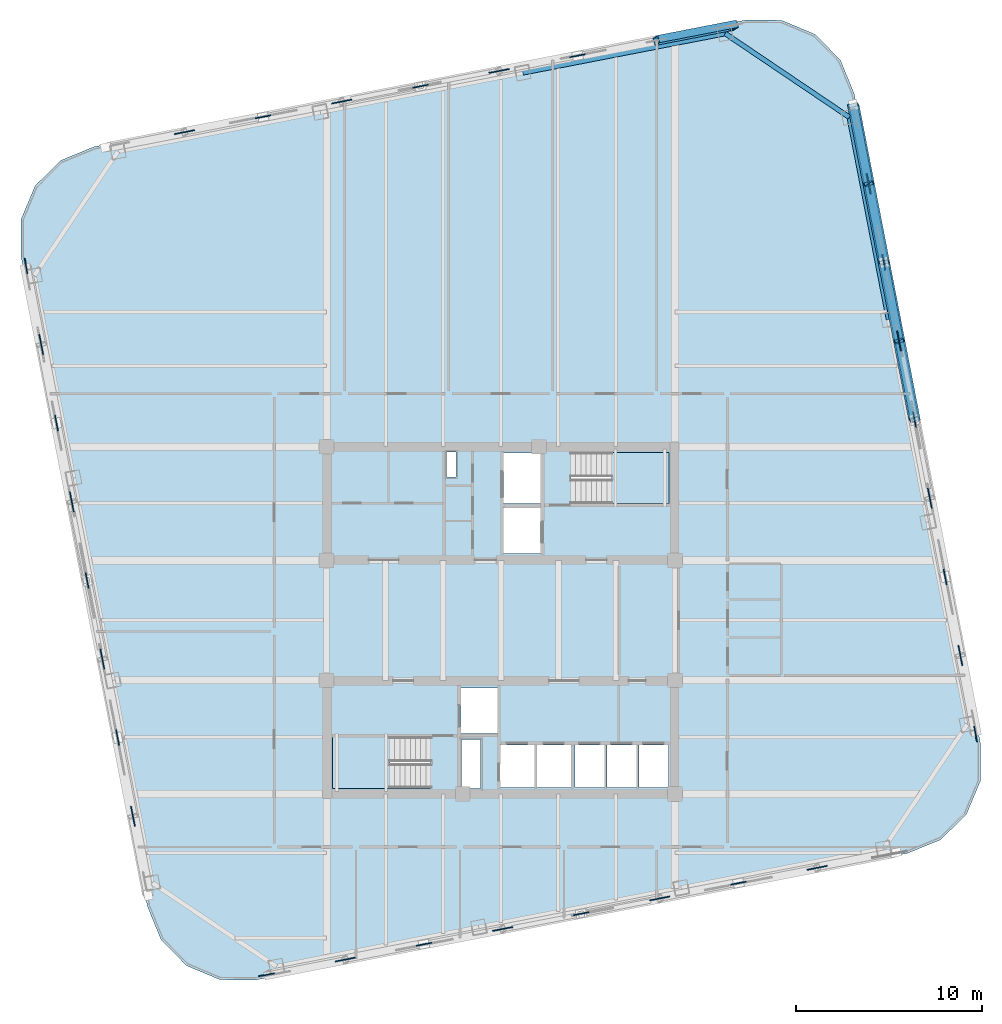
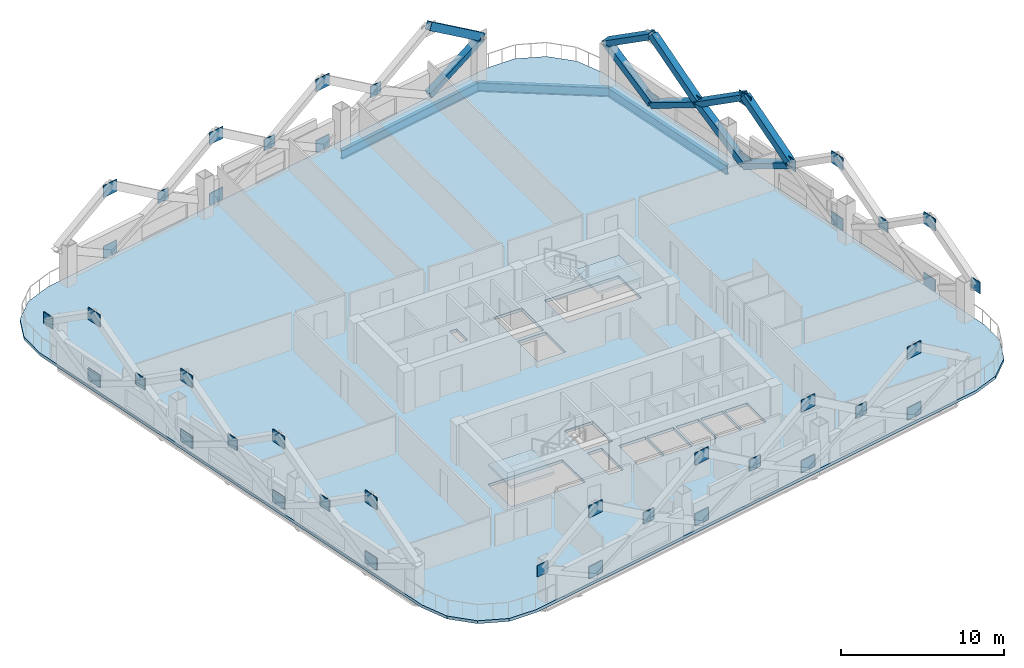
# One storey, part 3 of 10: 44 plates, 10 members, 3 beams, 3 slabs, 2 elements without a shape of their own.
"""IFC4 building model written with IfcOpenShell, lengths in metres."""

from ifc_helpers import new_model, si_unit, direction, frame, origin, origin_2d, place, context, subcontext, project, spatial, polyline, rectangle, hollow_rectangle, i_section, outline, extrude, material, layer, layer_set, material_profile, profile_set, type_object, element, aggregate, save


model = new_model("IFC4")

# Units and contexts
model_context = context("Model", 3, precision=1e-05, world=origin(), true_north=direction((0.0, 1.0)))
body_context = subcontext(model_context, "Body", "Model", "MODEL_VIEW")
ifc_project = project(units=[si_unit("LENGTHUNIT", "METRE"), si_unit("AREAUNIT", "SQUARE_METRE"), si_unit("VOLUMEUNIT", "CUBIC_METRE"), si_unit("PLANEANGLEUNIT", "RADIAN"), si_unit("MASSUNIT", "GRAM", prefix="KILO")], contexts=[model_context])

# Site, building, storey
site_placement = place(None, origin())
site = spatial("IfcSite", under=ifc_project, at=site_placement, CompositionType="ELEMENT")
building_placement = place(site_placement, origin())
building = spatial("IfcBuilding", under=site, at=building_placement, Name="Qhalaya Broadcast Tower", CompositionType="ELEMENT")
storey_placement = place(building_placement, frame((0.0, 0.0, 125.0)))
storey = spatial("IfcBuildingStorey", under=building, at=storey_placement, Name="L36", CompositionType="ELEMENT", Elevation=125.0)

# Members
ifc_material_1 = material(Name="Structural Steel ASTM A572 Grade 50", Category="steel")
ifc_material_profile_1 = material_profile(ifc_material_1, hollow_rectangle(XDim=0.419921875, YDim=0.550048828125, WallThickness=0.028076171875, at=origin_2d()), Name="BOX 420x550x28")
ifc_profile_set_1 = profile_set([ifc_material_profile_1], Name="Structural Steel ASTM A572 Grade 50")
member_type = type_object("IfcMemberType", Name="Exoskeleton Diamond Diagonal Mid-Low EX2", PredefinedType="BRACE", material=ifc_profile_set_1)
for number, where, z_axis, x_axis, name in (
    (1, (21.4501953125, 15.642578125, 0.360107421875), (0.167906178469, -0.863638454011, 0.475327398733), (-0.276348676601, 0.421603745685, 0.863644423687), "B3 Exoskeleton Diamond Brace E3-D1"),
    (2, (21.4501953125, 15.642578125, 0.360107421875), (-0.167850552493, 0.86365833241, 0.475310926539), (0.276317607547, -0.421606214628, 0.863653159287), "B3 Exoskeleton Diamond Brace E3-D2"),
):
    element("IfcMember", number, at=place(storey_placement, frame(where, z_axis=z_axis, x_axis=x_axis)), inside=storey, type_object=member_type, Name=name, PredefinedType="BRACE", context=body_context, shape_type="SweptSolid", body=[
        extrude(hollow_rectangle(XDim=0.419921875, YDim=0.550048828125, WallThickness=0.028076171875, at=origin_2d()), origin(), (0.0, 0.0, 1.0), 4.901611328125),
    ])
for number, where, z_axis, x_axis, name in (
    (3, (22.273193359375, 11.409423828125, 2.68994140625), (-0.159893335716, 0.822423775729, 0.545942537553), (0.289577544331, -0.489647453062, 0.822429460519), "B3 Exoskeleton Diamond Brace E3-D3"),
    (4, (20.62744140625, 19.8759765625, 2.68994140625), (0.159840880392, -0.822445360829, 0.545925380804), (-0.289541830698, 0.489650140275, 0.822440434563), "B3 Exoskeleton Diamond Brace E3-D4"),
):
    element("IfcMember", number, at=place(storey_placement, frame(where, z_axis=z_axis, x_axis=x_axis)), inside=storey, type_object=member_type, Name=name, PredefinedType="BRACE", context=body_context, shape_type="SweptSolid", body=[
        extrude(hollow_rectangle(XDim=0.419921875, YDim=0.550048828125, WallThickness=0.028076171875, at=origin_2d()), origin(), (0.0, 0.0, 1.0), 5.147216796875),
    ])
member_1_placement = place(storey_placement, frame((19.804443359375, 24.109375, 0.360107421875), z_axis=(0.16789895591, -0.863651111089, 0.475306952314), x_axis=(-0.276340291523, 0.421587029347, 0.863655266856)))
element("IfcMember", 5, at=member_1_placement, inside=storey, type_object=member_type, Name="B3 Exoskeleton Diamond Brace E4-D1", PredefinedType="BRACE", context=body_context, shape_type="SweptSolid", body=[
    extrude(hollow_rectangle(XDim=0.419921875, YDim=0.550048828125, WallThickness=0.028076171875, at=origin_2d()), origin(), (0.0, 0.0, 1.0), 4.90185546875),
])
member_2_placement = place(storey_placement, frame((19.804443359375, 24.109375, 0.360107421875), z_axis=(-0.16785777309, 0.863645675846, 0.47533137347), x_axis=(0.276325990581, -0.421622932738, 0.86364231573)))
element("IfcMember", 6, at=member_2_placement, inside=storey, type_object=member_type, Name="B3 Exoskeleton Diamond Brace E4-D2", PredefinedType="BRACE", context=body_context, shape_type="SweptSolid", body=[
    extrude(hollow_rectangle(XDim=0.419921875, YDim=0.550048828125, WallThickness=0.028076171875, at=origin_2d()), origin(), (0.0, 0.0, 1.0), 4.901611328125),
])
member_3_placement = place(storey_placement, frame((20.62744140625, 19.8759765625, 2.68994140625), z_axis=(-0.159887098587, 0.822439124739, 0.545921241393), x_axis=(0.289568264946, -0.489630060841, 0.822443082199)))
element("IfcMember", 7, at=member_3_placement, inside=storey, type_object=member_type, Name="B3 Exoskeleton Diamond Brace E4-D3", PredefinedType="BRACE", context=body_context, shape_type="SweptSolid", body=[
    extrude(hollow_rectangle(XDim=0.419921875, YDim=0.550048828125, WallThickness=0.028076171875, at=origin_2d()), origin(), (0.0, 0.0, 1.0), 5.1474609375),
])
member_4_placement = place(storey_placement, frame((18.981689453125, 28.342529296875, 2.68994140625), z_axis=(0.159847115813, -0.822430012189, 0.545946677449), x_axis=(-0.289551107794, 0.489667534331, 0.822426812426)))
element("IfcMember", 8, at=member_4_placement, inside=storey, type_object=member_type, Name="B3 Exoskeleton Diamond Brace E4-D4", PredefinedType="BRACE", context=body_context, shape_type="SweptSolid", body=[
    extrude(hollow_rectangle(XDim=0.419921875, YDim=0.550048828125, WallThickness=0.028076171875, at=origin_2d()), origin(), (0.0, 0.0, 1.0), 5.147216796875),
])
member_5_placement = place(storey_placement, frame((8.370361328125, 31.82177734375, 0.360107421875), z_axis=(0.863645675846, 0.16785777309, 0.47533137347), x_axis=(-0.276315488493, 0.946291559163, 0.167875060316)))
element("IfcMember", 9, at=member_5_placement, inside=storey, type_object=member_type, Name="B3 Exoskeleton Diamond Brace N1-D1", PredefinedType="BRACE", context=body_context, shape_type="SweptSolid", body=[
    extrude(hollow_rectangle(XDim=0.419921875, YDim=0.550048828125, WallThickness=0.028076171875, at=origin_2d()), origin(), (0.0, 0.0, 1.0), 4.901611328125),
])
member_6_placement = place(storey_placement, frame((12.603515625, 32.64453125, 2.68994140625), z_axis=(-0.822430012189, -0.159847115813, 0.545946677449), x_axis=(0.289542019185, -0.943720856791, 0.159863578043)))
element("IfcMember", 10, at=member_6_placement, inside=storey, type_object=member_type, Name="B3 Exoskeleton Diamond Brace N1-D3", PredefinedType="BRACE", context=body_context, shape_type="SweptSolid", body=[
    extrude(hollow_rectangle(XDim=0.419921875, YDim=0.550048828125, WallThickness=0.028076171875, at=origin_2d()), origin(), (0.0, 0.0, 1.0), 5.147216796875),
])

# Beams
ifc_material_2 = material(Name="Structural Steel ASTM A992 Grade 50", Category="steel")
ifc_material_profile_2 = material_profile(ifc_material_2, i_section(OverallWidth=0.25390625, OverallDepth=0.68310546875, WebThickness=0.012451171875, FlangeThickness=0.01904296875, at=origin_2d()), Name="W27X94")
ifc_profile_set_2 = profile_set([ifc_material_profile_2], Name="Structural Steel ASTM A992 Grade 50")
beam_type = type_object("IfcBeamType", Name="Perimeter Ring Spandrel Beam SP1", PredefinedType="SPANDREL", material=ifc_profile_set_2)
beam_1_placement = place(storey_placement, frame((20.88037109375, 16.79248046875, -0.5615234375), z_axis=(-0.190800781233, 0.98162878008, 0.0), x_axis=(-0.98162878008, -0.190800781233, 0.0)))
element("IfcBeam", 11, at=beam_1_placement, inside=storey, type_object=beam_type, Name="L36 SP1 L36-SPR-07", PredefinedType="SPANDREL", context=body_context, shape_type="SweptSolid", body=[
    extrude(i_section(OverallWidth=0.25390625, OverallDepth=0.68310546875, WebThickness=0.012451171875, FlangeThickness=0.01904296875, at=origin_2d()), origin(), (0.0, 0.0, 1.0), 11.10009765625),
])
beam_2_placement = place(storey_placement, frame((18.762451171875, 27.688720703125, -0.5615234375), z_axis=(-0.829042088473, 0.559186208288, 0.0), x_axis=(-0.559186208288, -0.829042088473, 0.0)))
element("IfcBeam", 12, at=beam_2_placement, inside=storey, type_object=beam_type, Name="L36 SP1 L36-SPR-08", PredefinedType="SPANDREL", context=body_context, shape_type="SweptSolid", body=[
    extrude(i_section(OverallWidth=0.25390625, OverallDepth=0.68310546875, WebThickness=0.012451171875, FlangeThickness=0.01904296875, at=origin_2d()), origin(), (0.0, 0.0, 1.0), 8.06103515625),
])
beam_3_placement = place(storey_placement, frame((12.07958984375, 32.1962890625, -0.5615234375), z_axis=(-0.98162878008, -0.190800781233, 0.0), x_axis=(0.190800781233, -0.98162878008, 0.0)))
element("IfcBeam", 13, at=beam_3_placement, inside=storey, type_object=beam_type, Name="L36 SP1 L36-SPR-09", PredefinedType="SPANDREL", context=body_context, shape_type="SweptSolid", body=[
    extrude(i_section(OverallWidth=0.25390625, OverallDepth=0.68310546875, WebThickness=0.012451171875, FlangeThickness=0.01904296875, at=origin_2d()), origin(), (0.0, 0.0, 1.0), 11.10009765625),
])

# Plates
ifc_layer_1 = layer(ifc_material_1, 0.054931640625, Name="Structural Steel ASTM A572 Grade 50")
ifc_layer_set_1 = layer_set([ifc_layer_1], Name="Structural Steel ASTM A572 Grade 50")
plate_type = type_object("IfcPlateType", Name="Exoskeleton Diamond Node Gusset Plate NP-01", PredefinedType="USERDEFINED", material=ifc_layer_set_1)
for number, where, z_axis, x_axis, name in (
    (14, (-8.370361328125, -17.66162109375, 0.2099609375), (0.0, 0.0, 1.0), (0.981627183448, 0.190808995377, 0.0), "Exoskeleton Diamond Node B3-S1-BOT"),
    (15, (-8.370361328125, -17.66162109375, 4.75), (0.0, 0.0, 1.0), (0.981627183448, 0.190808995377, 0.0), "Exoskeleton Diamond Node B3-S1-TOP"),
):
    element("IfcPlate", number, at=place(storey_placement, frame(where, z_axis=z_axis, x_axis=x_axis)), inside=storey, type_object=plate_type, Name=name, ObjectType="GUSSET_PLATE", PredefinedType="USERDEFINED", context=body_context, shape_type="SweptSolid", body=[
        extrude(rectangle(XDim=1.10009765625, YDim=0.054931640625, at=origin_2d()), origin(), (0.0, 0.0, 1.0), 0.89990234375),
    ])
plate_1_placement = place(storey_placement, frame((-12.603515625, -18.484619140625, 2.264892578125), z_axis=(0.0, 0.0, 1.0), x_axis=(0.981627183448, 0.190808995377, 0.0)))
element("IfcPlate", 16, at=plate_1_placement, inside=storey, type_object=plate_type, Name="Exoskeleton Diamond Node B3-S1-MDL", ObjectType="GUSSET_PLATE", PredefinedType="USERDEFINED", context=body_context, shape_type="SweptSolid", body=[
    extrude(rectangle(XDim=0.85009765625, YDim=0.054931640625, at=origin_2d()), origin(), (0.0, 0.0, 1.0), 0.85009765625),
])
for number, where, z_axis, x_axis, name in (
    (17, (0.09619140625, -16.01611328125, 0.2099609375), (0.0, 0.0, 1.0), (0.981627183448, 0.190808995377, 0.0), "Exoskeleton Diamond Node B3-S2-BOT"),
    (18, (0.09619140625, -16.01611328125, 4.75), (0.0, 0.0, 1.0), (0.981627183448, 0.190808995377, 0.0), "Exoskeleton Diamond Node B3-S2-TOP"),
):
    element("IfcPlate", number, at=place(storey_placement, frame(where, z_axis=z_axis, x_axis=x_axis)), inside=storey, type_object=plate_type, Name=name, ObjectType="GUSSET_PLATE", PredefinedType="USERDEFINED", context=body_context, shape_type="SweptSolid", body=[
        extrude(rectangle(XDim=1.10009765625, YDim=0.054931640625, at=origin_2d()), origin(), (0.0, 0.0, 1.0), 0.89990234375),
    ])
plate_2_placement = place(storey_placement, frame((-4.13720703125, -16.8388671875, 2.264892578125), z_axis=(0.0, 0.0, 1.0), x_axis=(0.981627183448, 0.190808995377, 0.0)))
element("IfcPlate", 19, at=plate_2_placement, inside=storey, type_object=plate_type, Name="Exoskeleton Diamond Node B3-S2-MDL", ObjectType="GUSSET_PLATE", PredefinedType="USERDEFINED", context=body_context, shape_type="SweptSolid", body=[
    extrude(rectangle(XDim=0.85009765625, YDim=0.054931640625, at=origin_2d()), origin(), (0.0, 0.0, 1.0), 0.85009765625),
])
for number, where, z_axis, x_axis, name in (
    (20, (8.562744140625, -14.370361328125, 0.2099609375), (0.0, 0.0, 1.0), (0.981627183448, 0.190808995377, 0.0), "Exoskeleton Diamond Node B3-S3-BOT"),
    (21, (8.562744140625, -14.370361328125, 4.75), (0.0, 0.0, 1.0), (0.981627183448, 0.190808995377, 0.0), "Exoskeleton Diamond Node B3-S3-TOP"),
):
    element("IfcPlate", number, at=place(storey_placement, frame(where, z_axis=z_axis, x_axis=x_axis)), inside=storey, type_object=plate_type, Name=name, ObjectType="GUSSET_PLATE", PredefinedType="USERDEFINED", context=body_context, shape_type="SweptSolid", body=[
        extrude(rectangle(XDim=1.10009765625, YDim=0.054931640625, at=origin_2d()), origin(), (0.0, 0.0, 1.0), 0.89990234375),
    ])
plate_3_placement = place(storey_placement, frame((4.32958984375, -15.193115234375, 2.264892578125), z_axis=(0.0, 0.0, 1.0), x_axis=(0.981627183448, 0.190808995377, 0.0)))
element("IfcPlate", 22, at=plate_3_placement, inside=storey, type_object=plate_type, Name="Exoskeleton Diamond Node B3-S3-MDL", ObjectType="GUSSET_PLATE", PredefinedType="USERDEFINED", context=body_context, shape_type="SweptSolid", body=[
    extrude(rectangle(XDim=0.85009765625, YDim=0.054931640625, at=origin_2d()), origin(), (0.0, 0.0, 1.0), 0.85009765625),
])
for number, where, z_axis, x_axis, name in (
    (23, (17.029296875, -12.724609375, 0.2099609375), (0.0, 0.0, 1.0), (0.981627183448, 0.190808995377, 0.0), "Exoskeleton Diamond Node B3-S4-BOT"),
    (24, (17.029296875, -12.724609375, 4.75), (0.0, 0.0, 1.0), (0.981627183448, 0.190808995377, 0.0), "Exoskeleton Diamond Node B3-S4-TOP"),
):
    element("IfcPlate", number, at=place(storey_placement, frame(where, z_axis=z_axis, x_axis=x_axis)), inside=storey, type_object=plate_type, Name=name, ObjectType="GUSSET_PLATE", PredefinedType="USERDEFINED", context=body_context, shape_type="SweptSolid", body=[
        extrude(rectangle(XDim=1.10009765625, YDim=0.054931640625, at=origin_2d()), origin(), (0.0, 0.0, 1.0), 0.89990234375),
    ])
plate_4_placement = place(storey_placement, frame((12.7958984375, -13.54736328125, 2.264892578125), z_axis=(0.0, 0.0, 1.0), x_axis=(0.981627183448, 0.190808995377, 0.0)))
element("IfcPlate", 25, at=plate_4_placement, inside=storey, type_object=plate_type, Name="Exoskeleton Diamond Node B3-S4-MDL", ObjectType="GUSSET_PLATE", PredefinedType="USERDEFINED", context=body_context, shape_type="SweptSolid", body=[
    extrude(rectangle(XDim=0.85009765625, YDim=0.054931640625, at=origin_2d()), origin(), (0.0, 0.0, 1.0), 0.85009765625),
])
for number, where, z_axis, x_axis, name in (
    (26, (24.74169921875, -1.290283203125, 0.2099609375), (0.0, 0.0, 1.0), (-0.190808995377, 0.981627183448, 0.0), "Exoskeleton Diamond Node B3-E1-BOT"),
    (27, (24.74169921875, -1.290283203125, 4.75), (0.0, 0.0, 1.0), (-0.190808995377, 0.981627183448, 0.0), "Exoskeleton Diamond Node B3-E1-TOP"),
):
    element("IfcPlate", number, at=place(storey_placement, frame(where, z_axis=z_axis, x_axis=x_axis)), inside=storey, type_object=plate_type, Name=name, ObjectType="GUSSET_PLATE", PredefinedType="USERDEFINED", context=body_context, shape_type="SweptSolid", body=[
        extrude(rectangle(XDim=1.10009765625, YDim=0.054931640625, at=origin_2d()), origin(), (0.0, 0.0, 1.0), 0.89990234375),
    ])
plate_5_placement = place(storey_placement, frame((25.564697265625, -5.523681640625, 2.264892578125), z_axis=(0.0, 0.0, 1.0), x_axis=(-0.190808995377, 0.981627183448, 0.0)))
element("IfcPlate", 28, at=plate_5_placement, inside=storey, type_object=plate_type, Name="Exoskeleton Diamond Node B3-E1-MDL", ObjectType="GUSSET_PLATE", PredefinedType="USERDEFINED", context=body_context, shape_type="SweptSolid", body=[
    extrude(rectangle(XDim=0.85009765625, YDim=0.054931640625, at=origin_2d()), origin(), (0.0, 0.0, 1.0), 0.85009765625),
])
for number, where, z_axis, x_axis, name in (
    (29, (23.095947265625, 7.17626953125, 0.2099609375), (0.0, 0.0, 1.0), (-0.190808995377, 0.981627183448, 0.0), "Exoskeleton Diamond Node B3-E2-BOT"),
    (30, (23.095947265625, 7.17626953125, 4.75), (0.0, 0.0, 1.0), (-0.190808995377, 0.981627183448, 0.0), "Exoskeleton Diamond Node B3-E2-TOP"),
):
    element("IfcPlate", number, at=place(storey_placement, frame(where, z_axis=z_axis, x_axis=x_axis)), inside=storey, type_object=plate_type, Name=name, ObjectType="GUSSET_PLATE", PredefinedType="USERDEFINED", context=body_context, shape_type="SweptSolid", body=[
        extrude(rectangle(XDim=1.10009765625, YDim=0.054931640625, at=origin_2d()), origin(), (0.0, 0.0, 1.0), 0.89990234375),
    ])
plate_6_placement = place(storey_placement, frame((23.918701171875, 2.94287109375, 2.264892578125), z_axis=(0.0, 0.0, 1.0), x_axis=(-0.190808995377, 0.981627183448, 0.0)))
element("IfcPlate", 31, at=plate_6_placement, inside=storey, type_object=plate_type, Name="Exoskeleton Diamond Node B3-E2-MDL", ObjectType="GUSSET_PLATE", PredefinedType="USERDEFINED", context=body_context, shape_type="SweptSolid", body=[
    extrude(rectangle(XDim=0.85009765625, YDim=0.054931640625, at=origin_2d()), origin(), (0.0, 0.0, 1.0), 0.85009765625),
])
for number, where, z_axis, x_axis, name in (
    (32, (21.4501953125, 15.642578125, 0.2099609375), (0.0, 0.0, 1.0), (-0.190808995377, 0.981627183448, 0.0), "Exoskeleton Diamond Node B3-E3-BOT"),
    (33, (21.4501953125, 15.642578125, 4.75), (0.0, 0.0, 1.0), (-0.190808995377, 0.981627183448, 0.0), "Exoskeleton Diamond Node B3-E3-TOP"),
):
    element("IfcPlate", number, at=place(storey_placement, frame(where, z_axis=z_axis, x_axis=x_axis)), inside=storey, type_object=plate_type, Name=name, ObjectType="GUSSET_PLATE", PredefinedType="USERDEFINED", context=body_context, shape_type="SweptSolid", body=[
        extrude(rectangle(XDim=1.10009765625, YDim=0.054931640625, at=origin_2d()), origin(), (0.0, 0.0, 1.0), 0.89990234375),
    ])
plate_7_placement = place(storey_placement, frame((22.273193359375, 11.409423828125, 2.264892578125), z_axis=(0.0, 0.0, 1.0), x_axis=(-0.190808995377, 0.981627183448, 0.0)))
element("IfcPlate", 34, at=plate_7_placement, inside=storey, type_object=plate_type, Name="Exoskeleton Diamond Node B3-E3-MDL", ObjectType="GUSSET_PLATE", PredefinedType="USERDEFINED", context=body_context, shape_type="SweptSolid", body=[
    extrude(rectangle(XDim=0.85009765625, YDim=0.054931640625, at=origin_2d()), origin(), (0.0, 0.0, 1.0), 0.85009765625),
])
plate_8_placement = place(storey_placement, frame((19.804443359375, 24.109375, 0.2099609375), z_axis=(0.0, 0.0, 1.0), x_axis=(-0.190808995377, 0.981627183448, 0.0)))
element("IfcPlate", 35, at=plate_8_placement, inside=storey, type_object=plate_type, Name="Exoskeleton Diamond Node B3-E4-BOT", ObjectType="GUSSET_PLATE", PredefinedType="USERDEFINED", context=body_context, shape_type="SweptSolid", body=[
    extrude(rectangle(XDim=1.10009765625, YDim=0.054931640625, at=origin_2d()), origin(), (0.0, 0.0, 1.0), 0.89990234375),
])
plate_9_placement = place(storey_placement, frame((20.62744140625, 19.8759765625, 2.264892578125), z_axis=(0.0, 0.0, 1.0), x_axis=(-0.190808995377, 0.981627183448, 0.0)))
element("IfcPlate", 36, at=plate_9_placement, inside=storey, type_object=plate_type, Name="Exoskeleton Diamond Node B3-E4-MDL", ObjectType="GUSSET_PLATE", PredefinedType="USERDEFINED", context=body_context, shape_type="SweptSolid", body=[
    extrude(rectangle(XDim=0.85009765625, YDim=0.054931640625, at=origin_2d()), origin(), (0.0, 0.0, 1.0), 0.85009765625),
])
for number, where, z_axis, x_axis, name in (
    (37, (-0.09619140625, 30.176025390625, 0.2099609375), (0.0, 0.0, 1.0), (0.981627183448, 0.190808995377, 0.0), "Exoskeleton Diamond Node B3-N2-BOT"),
    (38, (-0.09619140625, 30.176025390625, 4.75), (0.0, 0.0, 1.0), (0.981627183448, 0.190808995377, 0.0), "Exoskeleton Diamond Node B3-N2-TOP"),
):
    element("IfcPlate", number, at=place(storey_placement, frame(where, z_axis=z_axis, x_axis=x_axis)), inside=storey, type_object=plate_type, Name=name, ObjectType="GUSSET_PLATE", PredefinedType="USERDEFINED", context=body_context, shape_type="SweptSolid", body=[
        extrude(rectangle(XDim=1.10009765625, YDim=0.054931640625, at=origin_2d()), origin(), (0.0, 0.0, 1.0), 0.89990234375),
    ])
plate_10_placement = place(storey_placement, frame((4.13720703125, 30.998779296875, 2.264892578125), z_axis=(0.0, 0.0, 1.0), x_axis=(0.981627183448, 0.190808995377, 0.0)))
element("IfcPlate", 39, at=plate_10_placement, inside=storey, type_object=plate_type, Name="Exoskeleton Diamond Node B3-N2-MDL", ObjectType="GUSSET_PLATE", PredefinedType="USERDEFINED", context=body_context, shape_type="SweptSolid", body=[
    extrude(rectangle(XDim=0.85009765625, YDim=0.054931640625, at=origin_2d()), origin(), (0.0, 0.0, 1.0), 0.85009765625),
])
for number, where, z_axis, x_axis, name in (
    (40, (-8.562744140625, 28.5302734375, 0.2099609375), (0.0, 0.0, 1.0), (0.981627183448, 0.190808995377, 0.0), "Exoskeleton Diamond Node B3-N3-BOT"),
    (41, (-8.562744140625, 28.5302734375, 4.75), (0.0, 0.0, 1.0), (0.981627183448, 0.190808995377, 0.0), "Exoskeleton Diamond Node B3-N3-TOP"),
):
    element("IfcPlate", number, at=place(storey_placement, frame(where, z_axis=z_axis, x_axis=x_axis)), inside=storey, type_object=plate_type, Name=name, ObjectType="GUSSET_PLATE", PredefinedType="USERDEFINED", context=body_context, shape_type="SweptSolid", body=[
        extrude(rectangle(XDim=1.10009765625, YDim=0.054931640625, at=origin_2d()), origin(), (0.0, 0.0, 1.0), 0.89990234375),
    ])
plate_11_placement = place(storey_placement, frame((-4.32958984375, 29.35302734375, 2.264892578125), z_axis=(0.0, 0.0, 1.0), x_axis=(0.981627183448, 0.190808995377, 0.0)))
element("IfcPlate", 42, at=plate_11_placement, inside=storey, type_object=plate_type, Name="Exoskeleton Diamond Node B3-N3-MDL", ObjectType="GUSSET_PLATE", PredefinedType="USERDEFINED", context=body_context, shape_type="SweptSolid", body=[
    extrude(rectangle(XDim=0.85009765625, YDim=0.054931640625, at=origin_2d()), origin(), (0.0, 0.0, 1.0), 0.85009765625),
])
for number, where, z_axis, x_axis, name in (
    (43, (-17.029296875, 26.884521484375, 0.2099609375), (0.0, 0.0, 1.0), (0.981627183448, 0.190808995377, 0.0), "Exoskeleton Diamond Node B3-N4-BOT"),
    (44, (-17.029296875, 26.884521484375, 4.75), (0.0, 0.0, 1.0), (0.981627183448, 0.190808995377, 0.0), "Exoskeleton Diamond Node B3-N4-TOP"),
):
    element("IfcPlate", number, at=place(storey_placement, frame(where, z_axis=z_axis, x_axis=x_axis)), inside=storey, type_object=plate_type, Name=name, ObjectType="GUSSET_PLATE", PredefinedType="USERDEFINED", context=body_context, shape_type="SweptSolid", body=[
        extrude(rectangle(XDim=1.10009765625, YDim=0.054931640625, at=origin_2d()), origin(), (0.0, 0.0, 1.0), 0.89990234375),
    ])
plate_12_placement = place(storey_placement, frame((-12.7958984375, 27.70751953125, 2.264892578125), z_axis=(0.0, 0.0, 1.0), x_axis=(0.981627183448, 0.190808995377, 0.0)))
element("IfcPlate", 45, at=plate_12_placement, inside=storey, type_object=plate_type, Name="Exoskeleton Diamond Node B3-N4-MDL", ObjectType="GUSSET_PLATE", PredefinedType="USERDEFINED", context=body_context, shape_type="SweptSolid", body=[
    extrude(rectangle(XDim=0.85009765625, YDim=0.054931640625, at=origin_2d()), origin(), (0.0, 0.0, 1.0), 0.85009765625),
])
for number, where, z_axis, x_axis, name in (
    (46, (-24.74169921875, 15.4501953125, 0.2099609375), (0.0, 0.0, 1.0), (-0.190808995377, 0.981627183448, 0.0), "Exoskeleton Diamond Node B3-W1-BOT"),
    (47, (-24.74169921875, 15.4501953125, 4.75), (0.0, 0.0, 1.0), (-0.190808995377, 0.981627183448, 0.0), "Exoskeleton Diamond Node B3-W1-TOP"),
):
    element("IfcPlate", number, at=place(storey_placement, frame(where, z_axis=z_axis, x_axis=x_axis)), inside=storey, type_object=plate_type, Name=name, ObjectType="GUSSET_PLATE", PredefinedType="USERDEFINED", context=body_context, shape_type="SweptSolid", body=[
        extrude(rectangle(XDim=1.10009765625, YDim=0.054931640625, at=origin_2d()), origin(), (0.0, 0.0, 1.0), 0.89990234375),
    ])
plate_13_placement = place(storey_placement, frame((-25.564697265625, 19.68359375, 2.264892578125), z_axis=(0.0, 0.0, 1.0), x_axis=(-0.190808995377, 0.981627183448, 0.0)))
element("IfcPlate", 48, at=plate_13_placement, inside=storey, type_object=plate_type, Name="Exoskeleton Diamond Node B3-W1-MDL", ObjectType="GUSSET_PLATE", PredefinedType="USERDEFINED", context=body_context, shape_type="SweptSolid", body=[
    extrude(rectangle(XDim=0.85009765625, YDim=0.054931640625, at=origin_2d()), origin(), (0.0, 0.0, 1.0), 0.85009765625),
])
for number, where, z_axis, x_axis, name in (
    (49, (-23.095947265625, 6.98388671875, 0.2099609375), (0.0, 0.0, 1.0), (-0.190808995377, 0.981627183448, 0.0), "Exoskeleton Diamond Node B3-W2-BOT"),
    (50, (-23.095947265625, 6.98388671875, 4.75), (0.0, 0.0, 1.0), (-0.190808995377, 0.981627183448, 0.0), "Exoskeleton Diamond Node B3-W2-TOP"),
):
    element("IfcPlate", number, at=place(storey_placement, frame(where, z_axis=z_axis, x_axis=x_axis)), inside=storey, type_object=plate_type, Name=name, ObjectType="GUSSET_PLATE", PredefinedType="USERDEFINED", context=body_context, shape_type="SweptSolid", body=[
        extrude(rectangle(XDim=1.10009765625, YDim=0.054931640625, at=origin_2d()), origin(), (0.0, 0.0, 1.0), 0.89990234375),
    ])
plate_14_placement = place(storey_placement, frame((-23.918701171875, 11.217041015625, 2.264892578125), z_axis=(0.0, 0.0, 1.0), x_axis=(-0.190808995377, 0.981627183448, 0.0)))
element("IfcPlate", 51, at=plate_14_placement, inside=storey, type_object=plate_type, Name="Exoskeleton Diamond Node B3-W2-MDL", ObjectType="GUSSET_PLATE", PredefinedType="USERDEFINED", context=body_context, shape_type="SweptSolid", body=[
    extrude(rectangle(XDim=0.85009765625, YDim=0.054931640625, at=origin_2d()), origin(), (0.0, 0.0, 1.0), 0.85009765625),
])
for number, where, z_axis, x_axis, name in (
    (52, (-21.4501953125, -1.482666015625, 0.2099609375), (0.0, 0.0, 1.0), (-0.190808995377, 0.981627183448, 0.0), "Exoskeleton Diamond Node B3-W3-BOT"),
    (53, (-21.4501953125, -1.482666015625, 4.75), (0.0, 0.0, 1.0), (-0.190808995377, 0.981627183448, 0.0), "Exoskeleton Diamond Node B3-W3-TOP"),
):
    element("IfcPlate", number, at=place(storey_placement, frame(where, z_axis=z_axis, x_axis=x_axis)), inside=storey, type_object=plate_type, Name=name, ObjectType="GUSSET_PLATE", PredefinedType="USERDEFINED", context=body_context, shape_type="SweptSolid", body=[
        extrude(rectangle(XDim=1.10009765625, YDim=0.054931640625, at=origin_2d()), origin(), (0.0, 0.0, 1.0), 0.89990234375),
    ])
plate_15_placement = place(storey_placement, frame((-22.273193359375, 2.75048828125, 2.264892578125), z_axis=(0.0, 0.0, 1.0), x_axis=(-0.190808995377, 0.981627183448, 0.0)))
element("IfcPlate", 54, at=plate_15_placement, inside=storey, type_object=plate_type, Name="Exoskeleton Diamond Node B3-W3-MDL", ObjectType="GUSSET_PLATE", PredefinedType="USERDEFINED", context=body_context, shape_type="SweptSolid", body=[
    extrude(rectangle(XDim=0.85009765625, YDim=0.054931640625, at=origin_2d()), origin(), (0.0, 0.0, 1.0), 0.85009765625),
])
for number, where, z_axis, x_axis, name in (
    (55, (-19.804443359375, -9.94921875, 0.2099609375), (0.0, 0.0, 1.0), (-0.190808995377, 0.981627183448, 0.0), "Exoskeleton Diamond Node B3-W4-BOT"),
    (56, (-19.804443359375, -9.94921875, 4.75), (0.0, 0.0, 1.0), (-0.190808995377, 0.981627183448, 0.0), "Exoskeleton Diamond Node B3-W4-TOP"),
):
    element("IfcPlate", number, at=place(storey_placement, frame(where, z_axis=z_axis, x_axis=x_axis)), inside=storey, type_object=plate_type, Name=name, ObjectType="GUSSET_PLATE", PredefinedType="USERDEFINED", context=body_context, shape_type="SweptSolid", body=[
        extrude(rectangle(XDim=1.10009765625, YDim=0.054931640625, at=origin_2d()), origin(), (0.0, 0.0, 1.0), 0.89990234375),
    ])
plate_16_placement = place(storey_placement, frame((-20.62744140625, -5.716064453125, 2.264892578125), z_axis=(0.0, 0.0, 1.0), x_axis=(-0.190808995377, 0.981627183448, 0.0)))
element("IfcPlate", 57, at=plate_16_placement, inside=storey, type_object=plate_type, Name="Exoskeleton Diamond Node B3-W4-MDL", ObjectType="GUSSET_PLATE", PredefinedType="USERDEFINED", context=body_context, shape_type="SweptSolid", body=[
    extrude(rectangle(XDim=0.85009765625, YDim=0.054931640625, at=origin_2d()), origin(), (0.0, 0.0, 1.0), 0.85009765625),
])

# Stair, slab
ifc_material_3 = material(Name="Concrete C40/50", Category="concrete")
stair_type = type_object("IfcStairType", Name="Protected Dogleg Core Stair 3150", PredefinedType="TWO_STRAIGHT_RUN_STAIR", material=ifc_material_3)
stair_1_placement = place(storey_placement, origin())
stair_1 = element("IfcStair", 58, at=stair_1_placement, inside=storey, type_object=stair_type, Name="L36 North Core Exit Stair ST-1", PredefinedType="TWO_STRAIGHT_RUN_STAIR")
ifc_layer_2 = layer(ifc_material_3, 0.199951171875, Name="Concrete C40/50")
ifc_layer_set_2 = layer_set([ifc_layer_2], Name="Concrete C40/50")
slab_type_1 = type_object("IfcSlabType", Name="Stair & Ramp Half-Landing Slab 200", PredefinedType="LANDING", material=ifc_layer_set_2)
slab_1_placement = place(storey_placement, frame((0.0, 0.0, 1.324951171875)))
slab_1 = element("IfcSlab", 59, at=slab_1_placement, type_object=slab_type_1, Name="ST-1 landing 1", PredefinedType="LANDING", context=body_context, shape_type="SweptSolid", body=[
    extrude(outline(polyline([(5.955078125, 6.8798828125), (9.050048828125, 6.8798828125), (9.050048828125, 9.639892578125), (5.955078125, 9.639892578125), (5.955078125, 6.8798828125)])), origin(), (0.0, 0.0, 1.0), 0.199951171875),
])
aggregate(stair_1, [slab_1])

stair_2_placement = place(storey_placement, origin())
stair_2 = element("IfcStair", 60, at=stair_2_placement, inside=storey, type_object=stair_type, Name="L36 South Core Exit Stair ST-2", PredefinedType="TWO_STRAIGHT_RUN_STAIR")
slab_2_placement = place(storey_placement, frame((0.0, 0.0, 1.324951171875)))
slab_2 = element("IfcSlab", 61, at=slab_2_placement, type_object=slab_type_1, Name="ST-2 landing 1", PredefinedType="LANDING", context=body_context, shape_type="SweptSolid", body=[
    extrude(outline(polyline([(-5.955078125, -5.679931640625), (-9.050048828125, -5.679931640625), (-9.050048828125, -8.43994140625), (-5.955078125, -8.43994140625), (-5.955078125, -5.679931640625)])), origin(), (0.0, 0.0, 1.0), 0.199951171875),
])
aggregate(stair_2, [slab_2])

# Slab
ifc_layer_3 = layer(ifc_material_3, 0.219970703125, Name="Concrete C40/50")
ifc_layer_set_3 = layer_set([ifc_layer_3], Name="Concrete C40/50")
slab_type_2 = type_object("IfcSlabType", Name="Tower Composite Floor Slab 220", PredefinedType="FLOOR", material=ifc_layer_set_3)
slab_3_placement = place(storey_placement, frame((0.0, 0.0, -0.219970703125)))
element("IfcSlab", 62, at=slab_3_placement, inside=storey, type_object=slab_type_2, Name="L36 Main Structural Floor Slab", PredefinedType="FLOOR", context=body_context, shape_type="SweptSolid", body=[
    extrude(outline(polyline([(21.882080078125, -11.944091796875), (23.687744140625, -11.20556640625), (25.0732421875, -9.83203125), (25.82763671875, -8.032958984375), (25.836181640625, -6.08203125), (19.024169921875, 28.9619140625), (18.285400390625, 30.767578125), (16.912109375, 32.1533203125), (15.11279296875, 32.90771484375), (13.162109375, 32.916015625), (-21.882080078125, 26.104248046875), (-23.687744140625, 25.365478515625), (-25.0732421875, 23.9921875), (-25.82763671875, 22.19287109375), (-25.836181640625, 20.2421875), (-19.024169921875, -14.802001953125), (-18.285400390625, -16.607666015625), (-16.912109375, -17.9931640625), (-15.11279296875, -18.74755859375), (-13.162109375, -18.756103515625), (21.882080078125, -11.944091796875)]), holes=[polyline([(3.784912109375, 9.639892578125), (9.050048828125, 9.639892578125), (9.050048828125, 6.8798828125), (3.784912109375, 6.8798828125), (3.784912109375, 9.639892578125)]), polyline([(-3.784912109375, -8.43994140625), (-9.050048828125, -8.43994140625), (-9.050048828125, -5.679931640625), (-3.784912109375, -5.679931640625), (-3.784912109375, -8.43994140625)]), polyline([(0.14990234375, 6.64990234375), (2.14990234375, 6.64990234375), (2.14990234375, 4.199951171875), (0.14990234375, 4.199951171875), (0.14990234375, 6.64990234375)]), polyline([(0.14990234375, 9.60009765625), (2.14990234375, 9.60009765625), (2.14990234375, 6.89990234375), (0.14990234375, 6.89990234375), (0.14990234375, 9.60009765625)]), polyline([(-2.14990234375, -3.050048828125), (-0.14990234375, -3.050048828125), (-0.14990234375, -5.5), (-2.14990234375, -5.5), (-2.14990234375, -3.050048828125)]), polyline([(-0.050048828125, -6.10009765625), (1.830078125, -6.10009765625), (1.830078125, -8.39990234375), (-0.050048828125, -8.39990234375), (-0.050048828125, -6.10009765625)]), polyline([(1.949951171875, -6.10009765625), (3.830078125, -6.10009765625), (3.830078125, -8.39990234375), (1.949951171875, -8.39990234375), (1.949951171875, -6.10009765625)]), polyline([(4.0, -6.10009765625), (5.60009765625, -6.10009765625), (5.60009765625, -8.39990234375), (4.0, -8.39990234375), (4.0, -6.10009765625)]), polyline([(5.719970703125, -6.10009765625), (7.320068359375, -6.10009765625), (7.320068359375, -8.39990234375), (5.719970703125, -8.39990234375), (5.719970703125, -6.10009765625)]), polyline([(7.43994140625, -6.10009765625), (9.0400390625, -6.10009765625), (9.0400390625, -8.39990234375), (7.43994140625, -8.39990234375), (7.43994140625, -6.10009765625)]), polyline([(-2.919921875, 9.659912109375), (-2.419921875, 9.659912109375), (-2.419921875, 8.320068359375), (-2.919921875, 8.320068359375), (-2.919921875, 9.659912109375)]), polyline([(-2.1201171875, -5.820068359375), (-1.080078125, -5.820068359375), (-1.080078125, -8.4599609375), (-2.1201171875, -8.4599609375), (-2.1201171875, -5.820068359375)])]), origin(), (0.0, 0.0, 1.0), 0.219970703125),
])

save(model, "model.ifc")
